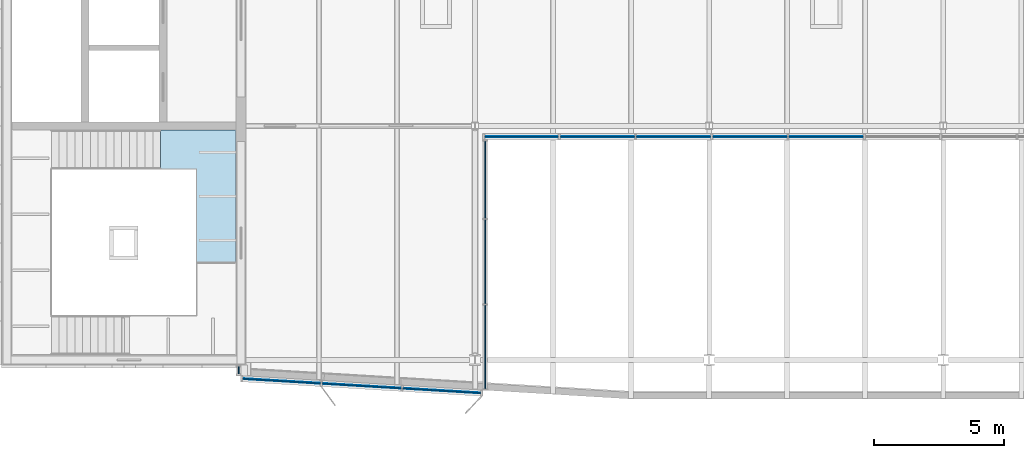
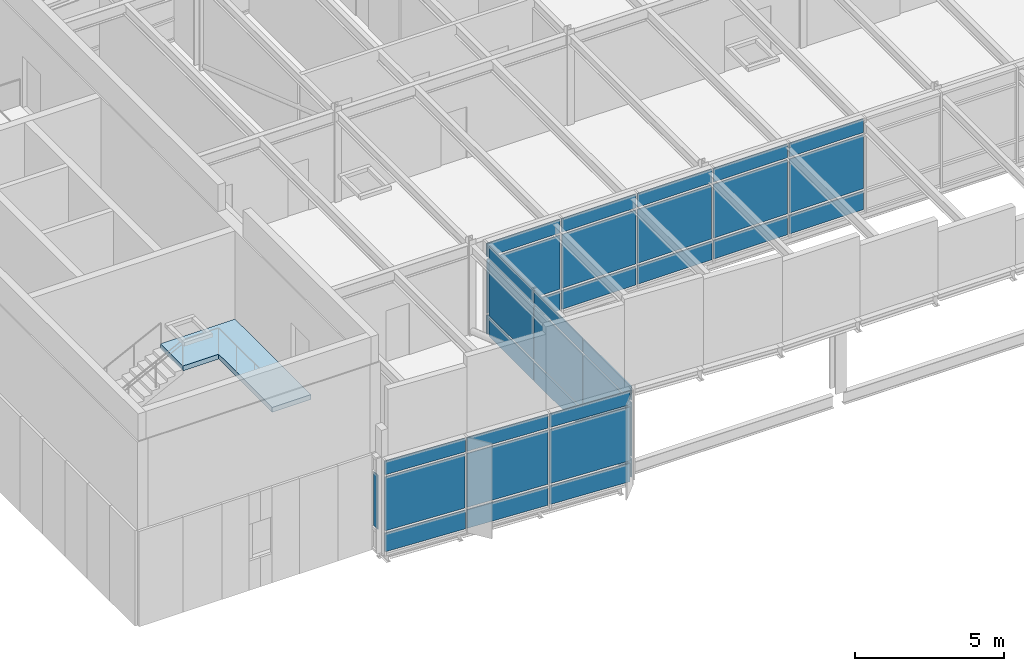
# One storey, part 11 of 23: 34 plates, 1 slab, 5 elements without a shape of their own.
"""IFC4 building model written with IfcOpenShell, lengths in metres."""

from ifc_helpers import new_model, si_unit, direction, frame, origin, origin_2d, place, context, subcontext, project, spatial, polyline, rectangle, outline, extrude, material, layer, layer_set, type_object, element, aggregate, save


model = new_model("IFC4")

# Units and contexts
model_context = context("Model", 3, precision=1e-05, world=origin(), true_north=direction((0.0, 1.0)))
body_context = subcontext(model_context, "Body", "Model", "MODEL_VIEW")
ifc_project = project(units=[si_unit("LENGTHUNIT", "METRE"), si_unit("AREAUNIT", "SQUARE_METRE"), si_unit("VOLUMEUNIT", "CUBIC_METRE"), si_unit("PLANEANGLEUNIT", "RADIAN"), si_unit("MASSUNIT", "GRAM", prefix="KILO")], contexts=[model_context])

# Site, building, storey
site_placement = place(None, origin())
site = spatial("IfcSite", under=ifc_project, at=site_placement, CompositionType="ELEMENT")
building_placement = place(site_placement, origin())
building = spatial("IfcBuilding", under=site, at=building_placement, Name="Azimuth Sports and Learning Centre", CompositionType="ELEMENT")
storey_placement = place(building_placement, frame((0.0, 0.0, 75.300048828125)))
storey = spatial("IfcBuildingStorey", under=building, at=storey_placement, Name="L17", CompositionType="ELEMENT", Elevation=75.300048828125)

# Stair, slab
ifc_material_1 = material(Name="Concrete C32/40", Category="concrete")
stair_type = type_object("IfcStairType", Name="Square-well stair core 3900 storey", PredefinedType="THREE_QUARTER_TURN_STAIR", material=ifc_material_1)
stair_placement = place(storey_placement, origin())
stair = element("IfcStair", 1, at=stair_placement, inside=storey, type_object=stair_type, Name="Stair W1 L17-Roof", PredefinedType="THREE_QUARTER_TURN_STAIR")
ifc_material_2 = material(Name="Concrete C32/40", Category="concrete")
ifc_layer_1 = layer(ifc_material_2, 0.199951171875)
ifc_layer_set_1 = layer_set([ifc_layer_1], Name="Concrete C32/40")
slab_type = type_object("IfcSlabType", Name="Concrete stair landing", PredefinedType="LANDING", material=ifc_layer_set_1)
slab_placement = place(storey_placement, frame((0.0, 0.0, 3.699951171875)))
slab = element("IfcSlab", 2, at=slab_placement, type_object=slab_type, Name="Stair W1 L17 landing 3", PredefinedType="LANDING", context=body_context, shape_type="SweptSolid", body=[
    extrude(outline(polyline([(61.2900390625, 97.340087890625), (61.2900390625, 93.75), (62.7900390625, 93.75), (62.7900390625, 98.840087890625), (59.9091796875, 98.840087890625), (59.9091796875, 97.340087890625), (61.2900390625, 97.340087890625)])), origin(), (0.0, 0.0, 1.0), 0.199951171875),
])
aggregate(stair, [slab])

# Curtain wall, plates
ifc_material_3 = material(Name="Aluminium and glass", Category="aluminium")
curtain_wall_type_1 = type_object("IfcCurtainWallType", Name="Curtain wall tower south 240", PredefinedType="NOTDEFINED", material=ifc_material_3)
curtain_wall_1_placement = place(storey_placement, origin())
curtain_wall_1 = element("IfcCurtainWall", 3, at=curtain_wall_1_placement, inside=storey, type_object=curtain_wall_type_1, Name="Curtain wall CW17-002", PredefinedType="NOTDEFINED")
ifc_material_4 = material(Name="Insulated aluminium panel", Category="aluminium")
ifc_layer_2 = layer(ifc_material_4, 0.050048828125)
ifc_layer_set_2 = layer_set([ifc_layer_2], Name="Insulated aluminium panel")
plate_type_1 = type_object("IfcPlateType", Name="Spandrel panel 50 mm", PredefinedType="CURTAIN_PANEL", material=ifc_layer_set_2)
plate_1_placement = place(storey_placement, frame((64.560302734375, 89.186279296875, 0.099853515625), z_axis=(0.0, 0.0, 1.0), x_axis=(0.998204863401, -0.059891991812, 0.0)))
plate_1 = element("IfcPlate", 4, at=plate_1_placement, type_object=plate_type_1, Name="CW17-002 panel 1.1", PredefinedType="CURTAIN_PANEL", context=body_context, shape_type="SweptSolid", body=[
    extrude(rectangle(XDim=3.00048828125, YDim=0.050048828125, at=origin_2d()), origin(), (0.0, 0.0, 1.0), 0.75),
])
plate_2_placement = place(storey_placement, frame((64.560302734375, 89.186279296875, 3.25), z_axis=(0.0, 0.0, 1.0), x_axis=(0.998204863401, -0.059891991812, 0.0)))
plate_2 = element("IfcPlate", 5, at=plate_2_placement, type_object=plate_type_1, Name="CW17-002 panel 1.3", PredefinedType="CURTAIN_PANEL", context=body_context, shape_type="SweptSolid", body=[
    extrude(rectangle(XDim=3.00048828125, YDim=0.050048828125, at=origin_2d()), origin(), (0.0, 0.0, 1.0), 0.550048828125),
])
plate_3_placement = place(storey_placement, frame((67.642822265625, 89.001220703125, 0.099853515625), z_axis=(0.0, 0.0, 1.0), x_axis=(0.998204863401, -0.059891991812, 0.0)))
plate_3 = element("IfcPlate", 6, at=plate_3_placement, type_object=plate_type_1, Name="CW17-002 panel 2.1", PredefinedType="CURTAIN_PANEL", context=body_context, shape_type="SweptSolid", body=[
    extrude(rectangle(XDim=3.03564453125, YDim=0.050048828125, at=origin_2d()), origin(), (0.0, 0.0, 1.0), 0.75),
])
plate_4_placement = place(storey_placement, frame((67.642822265625, 89.001220703125, 3.25), z_axis=(0.0, 0.0, 1.0), x_axis=(0.998204863401, -0.059891991812, 0.0)))
plate_4 = element("IfcPlate", 7, at=plate_4_placement, type_object=plate_type_1, Name="CW17-002 panel 2.3", PredefinedType="CURTAIN_PANEL", context=body_context, shape_type="SweptSolid", body=[
    extrude(rectangle(XDim=3.03564453125, YDim=0.050048828125, at=origin_2d()), origin(), (0.0, 0.0, 1.0), 0.550048828125),
])
plate_5_placement = place(storey_placement, frame((70.725341796875, 88.816162109375, 0.099853515625), z_axis=(0.0, 0.0, 1.0), x_axis=(0.998204863401, -0.059891991812, 0.0)))
plate_5 = element("IfcPlate", 8, at=plate_5_placement, type_object=plate_type_1, Name="CW17-002 panel 3.1", PredefinedType="CURTAIN_PANEL", context=body_context, shape_type="SweptSolid", body=[
    extrude(rectangle(XDim=3.00048828125, YDim=0.050048828125, at=origin_2d()), origin(), (0.0, 0.0, 1.0), 0.75),
])
plate_6_placement = place(storey_placement, frame((70.725341796875, 88.816162109375, 3.25), z_axis=(0.0, 0.0, 1.0), x_axis=(0.998204863401, -0.059891991812, 0.0)))
plate_6 = element("IfcPlate", 9, at=plate_6_placement, type_object=plate_type_1, Name="CW17-002 panel 3.3", PredefinedType="CURTAIN_PANEL", context=body_context, shape_type="SweptSolid", body=[
    extrude(rectangle(XDim=3.00048828125, YDim=0.050048828125, at=origin_2d()), origin(), (0.0, 0.0, 1.0), 0.550048828125),
])

ifc_material_5 = material(Name="Aluminium and glass", Category="aluminium")
curtain_wall_type_2 = type_object("IfcCurtainWallType", Name="Curtain wall tower return 180", PredefinedType="NOTDEFINED", material=ifc_material_5)
curtain_wall_2_placement = place(storey_placement, origin())
curtain_wall_2 = element("IfcCurtainWall", 10, at=curtain_wall_2_placement, inside=storey, type_object=curtain_wall_type_2, Name="Curtain wall CW17-003", PredefinedType="NOTDEFINED")
plate_7_placement = place(storey_placement, frame((72.389892578125, 90.5, 0.099853515625), z_axis=(0.0, 0.0, 1.0), x_axis=(0.0, 1.0, 0.0)))
plate_7 = element("IfcPlate", 11, at=plate_7_placement, type_object=plate_type_1, Name="CW17-003 panel 1.1", PredefinedType="CURTAIN_PANEL", context=body_context, shape_type="SweptSolid", body=[
    extrude(rectangle(XDim=3.196044921875, YDim=0.050048828125, at=origin_2d()), origin(), (0.0, 0.0, 1.0), 0.75),
])
plate_8_placement = place(storey_placement, frame((72.389892578125, 90.5, 0.9501953125), z_axis=(0.0, 0.0, 1.0), x_axis=(0.0, 1.0, 0.0)))
plate_8 = element("IfcPlate", 12, at=plate_8_placement, type_object=plate_type_1, Name="CW17-003 panel 1.2", PredefinedType="CURTAIN_PANEL", context=body_context, shape_type="SweptSolid", body=[
    extrude(rectangle(XDim=3.196044921875, YDim=0.050048828125, at=origin_2d()), origin(), (0.0, 0.0, 1.0), 2.199951171875),
])
plate_9_placement = place(storey_placement, frame((72.389892578125, 90.5, 3.25), z_axis=(0.0, 0.0, 1.0), x_axis=(0.0, 1.0, 0.0)))
plate_9 = element("IfcPlate", 13, at=plate_9_placement, type_object=plate_type_1, Name="CW17-003 panel 1.3", PredefinedType="CURTAIN_PANEL", context=body_context, shape_type="SweptSolid", body=[
    extrude(rectangle(XDim=3.196044921875, YDim=0.050048828125, at=origin_2d()), origin(), (0.0, 0.0, 1.0), 0.550048828125),
])
plate_10_placement = place(storey_placement, frame((72.389892578125, 93.77099609375, 0.099853515625), z_axis=(0.0, 0.0, 1.0), x_axis=(0.0, 1.0, 0.0)))
plate_10 = element("IfcPlate", 14, at=plate_10_placement, type_object=plate_type_1, Name="CW17-003 panel 2.1", PredefinedType="CURTAIN_PANEL", context=body_context, shape_type="SweptSolid", body=[
    extrude(rectangle(XDim=3.22607421875, YDim=0.050048828125, at=origin_2d()), origin(), (0.0, 0.0, 1.0), 0.75),
])
plate_11_placement = place(storey_placement, frame((72.389892578125, 93.77099609375, 0.9501953125), z_axis=(0.0, 0.0, 1.0), x_axis=(0.0, 1.0, 0.0)))
plate_11 = element("IfcPlate", 15, at=plate_11_placement, type_object=plate_type_1, Name="CW17-003 panel 2.2", PredefinedType="CURTAIN_PANEL", context=body_context, shape_type="SweptSolid", body=[
    extrude(rectangle(XDim=3.22607421875, YDim=0.050048828125, at=origin_2d()), origin(), (0.0, 0.0, 1.0), 2.199951171875),
])
plate_12_placement = place(storey_placement, frame((72.389892578125, 93.77099609375, 3.25), z_axis=(0.0, 0.0, 1.0), x_axis=(0.0, 1.0, 0.0)))
plate_12 = element("IfcPlate", 16, at=plate_12_placement, type_object=plate_type_1, Name="CW17-003 panel 2.3", PredefinedType="CURTAIN_PANEL", context=body_context, shape_type="SweptSolid", body=[
    extrude(rectangle(XDim=3.22607421875, YDim=0.050048828125, at=origin_2d()), origin(), (0.0, 0.0, 1.0), 0.550048828125),
])
plate_13_placement = place(storey_placement, frame((72.389892578125, 96.922119140625, 0.099853515625), z_axis=(0.0, 0.0, 1.0), x_axis=(0.0, 1.0, 0.0)))
plate_13 = element("IfcPlate", 17, at=plate_13_placement, type_object=plate_type_1, Name="CW17-003 panel 3.1", PredefinedType="CURTAIN_PANEL", context=body_context, shape_type="SweptSolid", body=[
    extrude(rectangle(XDim=2.9560546875, YDim=0.050048828125, at=origin_2d()), origin(), (0.0, 0.0, 1.0), 0.75),
])
plate_14_placement = place(storey_placement, frame((72.389892578125, 96.922119140625, 0.9501953125), z_axis=(0.0, 0.0, 1.0), x_axis=(0.0, 1.0, 0.0)))
plate_14 = element("IfcPlate", 18, at=plate_14_placement, type_object=plate_type_1, Name="CW17-003 panel 3.2", PredefinedType="CURTAIN_PANEL", context=body_context, shape_type="SweptSolid", body=[
    extrude(rectangle(XDim=2.9560546875, YDim=0.050048828125, at=origin_2d()), origin(), (0.0, 0.0, 1.0), 2.199951171875),
])
plate_15_placement = place(storey_placement, frame((72.389892578125, 96.922119140625, 3.25), z_axis=(0.0, 0.0, 1.0), x_axis=(0.0, 1.0, 0.0)))
plate_15 = element("IfcPlate", 19, at=plate_15_placement, type_object=plate_type_1, Name="CW17-003 panel 3.3", PredefinedType="CURTAIN_PANEL", context=body_context, shape_type="SweptSolid", body=[
    extrude(rectangle(XDim=2.9560546875, YDim=0.050048828125, at=origin_2d()), origin(), (0.0, 0.0, 1.0), 0.550048828125),
])
aggregate(curtain_wall_2, [plate_7, plate_8, plate_9, plate_10, plate_11, plate_12, plate_13, plate_14, plate_15])

curtain_wall_3_placement = place(storey_placement, origin())
curtain_wall_3 = element("IfcCurtainWall", 20, at=curtain_wall_3_placement, inside=storey, type_object=curtain_wall_type_1, Name="Curtain wall CW17-004", PredefinedType="NOTDEFINED")
plate_16_placement = place(storey_placement, frame((73.7841796875, 98.580078125, 0.099853515625), z_axis=(0.0, 0.0, 1.0), x_axis=(1.0, 0.0, 0.0)))
plate_16 = element("IfcPlate", 21, at=plate_16_placement, type_object=plate_type_1, Name="CW17-004 panel 1.1", PredefinedType="CURTAIN_PANEL", context=body_context, shape_type="SweptSolid", body=[
    extrude(rectangle(XDim=2.828369140625, YDim=0.050048828125, at=origin_2d()), origin(), (0.0, 0.0, 1.0), 0.75),
])
plate_17_placement = place(storey_placement, frame((73.7841796875, 98.580078125, 3.25), z_axis=(0.0, 0.0, 1.0), x_axis=(1.0, 0.0, 0.0)))
plate_17 = element("IfcPlate", 22, at=plate_17_placement, type_object=plate_type_1, Name="CW17-004 panel 1.3", PredefinedType="CURTAIN_PANEL", context=body_context, shape_type="SweptSolid", body=[
    extrude(rectangle(XDim=2.828369140625, YDim=0.050048828125, at=origin_2d()), origin(), (0.0, 0.0, 1.0), 0.550048828125),
])
plate_18_placement = place(storey_placement, frame((76.699951171875, 98.580078125, 0.099853515625), z_axis=(0.0, 0.0, 1.0), x_axis=(1.0, 0.0, 0.0)))
plate_18 = element("IfcPlate", 23, at=plate_18_placement, type_object=plate_type_1, Name="CW17-004 panel 2.1", PredefinedType="CURTAIN_PANEL", context=body_context, shape_type="SweptSolid", body=[
    extrude(rectangle(XDim=2.86328125, YDim=0.050048828125, at=origin_2d()), origin(), (0.0, 0.0, 1.0), 0.75),
])
plate_19_placement = place(storey_placement, frame((76.699951171875, 98.580078125, 3.25), z_axis=(0.0, 0.0, 1.0), x_axis=(1.0, 0.0, 0.0)))
plate_19 = element("IfcPlate", 24, at=plate_19_placement, type_object=plate_type_1, Name="CW17-004 panel 2.3", PredefinedType="CURTAIN_PANEL", context=body_context, shape_type="SweptSolid", body=[
    extrude(rectangle(XDim=2.86328125, YDim=0.050048828125, at=origin_2d()), origin(), (0.0, 0.0, 1.0), 0.550048828125),
])
plate_20_placement = place(storey_placement, frame((79.63330078125, 98.580078125, 0.099853515625), z_axis=(0.0, 0.0, 1.0), x_axis=(1.0, 0.0, 0.0)))
plate_20 = element("IfcPlate", 25, at=plate_20_placement, type_object=plate_type_1, Name="CW17-004 panel 3.1", PredefinedType="CURTAIN_PANEL", context=body_context, shape_type="SweptSolid", body=[
    extrude(rectangle(XDim=2.86328125, YDim=0.050048828125, at=origin_2d()), origin(), (0.0, 0.0, 1.0), 0.75),
])
plate_21_placement = place(storey_placement, frame((79.63330078125, 98.580078125, 3.25), z_axis=(0.0, 0.0, 1.0), x_axis=(1.0, 0.0, 0.0)))
plate_21 = element("IfcPlate", 26, at=plate_21_placement, type_object=plate_type_1, Name="CW17-004 panel 3.3", PredefinedType="CURTAIN_PANEL", context=body_context, shape_type="SweptSolid", body=[
    extrude(rectangle(XDim=2.86328125, YDim=0.050048828125, at=origin_2d()), origin(), (0.0, 0.0, 1.0), 0.550048828125),
])
plate_22_placement = place(storey_placement, frame((82.566650390625, 98.580078125, 0.099853515625), z_axis=(0.0, 0.0, 1.0), x_axis=(1.0, 0.0, 0.0)))
plate_22 = element("IfcPlate", 27, at=plate_22_placement, type_object=plate_type_1, Name="CW17-004 panel 4.1", PredefinedType="CURTAIN_PANEL", context=body_context, shape_type="SweptSolid", body=[
    extrude(rectangle(XDim=2.86328125, YDim=0.050048828125, at=origin_2d()), origin(), (0.0, 0.0, 1.0), 0.75),
])
plate_23_placement = place(storey_placement, frame((82.566650390625, 98.580078125, 3.25), z_axis=(0.0, 0.0, 1.0), x_axis=(1.0, 0.0, 0.0)))
plate_23 = element("IfcPlate", 28, at=plate_23_placement, type_object=plate_type_1, Name="CW17-004 panel 4.3", PredefinedType="CURTAIN_PANEL", context=body_context, shape_type="SweptSolid", body=[
    extrude(rectangle(XDim=2.86328125, YDim=0.050048828125, at=origin_2d()), origin(), (0.0, 0.0, 1.0), 0.550048828125),
])
plate_24_placement = place(storey_placement, frame((85.5, 98.580078125, 0.099853515625), z_axis=(0.0, 0.0, 1.0), x_axis=(1.0, 0.0, 0.0)))
plate_24 = element("IfcPlate", 29, at=plate_24_placement, type_object=plate_type_1, Name="CW17-004 panel 5.1", PredefinedType="CURTAIN_PANEL", context=body_context, shape_type="SweptSolid", body=[
    extrude(rectangle(XDim=2.86328125, YDim=0.050048828125, at=origin_2d()), origin(), (0.0, 0.0, 1.0), 0.75),
])
plate_25_placement = place(storey_placement, frame((85.5, 98.580078125, 3.25), z_axis=(0.0, 0.0, 1.0), x_axis=(1.0, 0.0, 0.0)))
plate_25 = element("IfcPlate", 30, at=plate_25_placement, type_object=plate_type_1, Name="CW17-004 panel 5.3", PredefinedType="CURTAIN_PANEL", context=body_context, shape_type="SweptSolid", body=[
    extrude(rectangle(XDim=2.86328125, YDim=0.050048828125, at=origin_2d()), origin(), (0.0, 0.0, 1.0), 0.550048828125),
])

# Curtain wall, plate
curtain_wall_4_placement = place(storey_placement, origin())
curtain_wall_4 = element("IfcCurtainWall", 31, at=curtain_wall_4_placement, inside=storey, type_object=curtain_wall_type_2, Name="Curtain wall CW17-001", PredefinedType="NOTDEFINED")
ifc_material_6 = material(Name="Glass", Category="glass")
ifc_layer_3 = layer(ifc_material_6, 0.031982421875)
ifc_layer_set_3 = layer_set([ifc_layer_3], Name="Glass")
plate_type_2 = type_object("IfcPlateType", Name="Vision glass 32 mm", PredefinedType="CURTAIN_PANEL", material=ifc_layer_set_3)
plate_26_placement = place(storey_placement, frame((62.909912109375, 89.60009765625, 0.9501953125), z_axis=(0.0, 0.0, 1.0), x_axis=(0.0, -1.0, 0.0)))
plate_26 = element("IfcPlate", 32, at=plate_26_placement, type_object=plate_type_2, Name="CW17-001 panel 1.2", PredefinedType="CURTAIN_PANEL", context=body_context, shape_type="SweptSolid", body=[
    extrude(rectangle(XDim=0.280029296875, YDim=0.031982421875, at=origin_2d()), origin(), (0.0, 0.0, 1.0), 2.199951171875),
])
aggregate(curtain_wall_4, [plate_26])

# Plate
plate_27_placement = place(storey_placement, frame((64.560302734375, 89.186279296875, 0.9501953125), z_axis=(0.0, 0.0, 1.0), x_axis=(0.998204863401, -0.059891991812, 0.0)))
plate_27 = element("IfcPlate", 33, at=plate_27_placement, type_object=plate_type_2, Name="CW17-002 panel 1.2", PredefinedType="CURTAIN_PANEL", context=body_context, shape_type="SweptSolid", body=[
    extrude(rectangle(XDim=3.00048828125, YDim=0.031982421875, at=origin_2d()), origin(), (0.0, 0.0, 1.0), 2.199951171875),
])

plate_28_placement = place(storey_placement, frame((67.642822265625, 89.001220703125, 0.9501953125), z_axis=(0.0, 0.0, 1.0), x_axis=(0.998204863401, -0.059891991812, 0.0)))
plate_28 = element("IfcPlate", 34, at=plate_28_placement, type_object=plate_type_2, Name="CW17-002 panel 2.2", PredefinedType="CURTAIN_PANEL", context=body_context, shape_type="SweptSolid", body=[
    extrude(rectangle(XDim=3.03564453125, YDim=0.031982421875, at=origin_2d()), origin(), (0.0, 0.0, 1.0), 2.199951171875),
])

plate_29_placement = place(storey_placement, frame((70.725341796875, 88.816162109375, 0.9501953125), z_axis=(0.0, 0.0, 1.0), x_axis=(0.998204863401, -0.059891991812, 0.0)))
plate_29 = element("IfcPlate", 35, at=plate_29_placement, type_object=plate_type_2, Name="CW17-002 panel 3.2", PredefinedType="CURTAIN_PANEL", context=body_context, shape_type="SweptSolid", body=[
    extrude(rectangle(XDim=3.00048828125, YDim=0.031982421875, at=origin_2d()), origin(), (0.0, 0.0, 1.0), 2.199951171875),
])

aggregate(curtain_wall_1, [plate_1, plate_27, plate_2, plate_3, plate_28, plate_4, plate_5, plate_29, plate_6])

plate_30_placement = place(storey_placement, frame((73.7841796875, 98.580078125, 0.9501953125), z_axis=(0.0, 0.0, 1.0), x_axis=(1.0, 0.0, 0.0)))
plate_30 = element("IfcPlate", 36, at=plate_30_placement, type_object=plate_type_2, Name="CW17-004 panel 1.2", PredefinedType="CURTAIN_PANEL", context=body_context, shape_type="SweptSolid", body=[
    extrude(rectangle(XDim=2.828369140625, YDim=0.031982421875, at=origin_2d()), origin(), (0.0, 0.0, 1.0), 2.199951171875),
])

plate_31_placement = place(storey_placement, frame((76.699951171875, 98.580078125, 0.9501953125), z_axis=(0.0, 0.0, 1.0), x_axis=(1.0, 0.0, 0.0)))
plate_31 = element("IfcPlate", 37, at=plate_31_placement, type_object=plate_type_2, Name="CW17-004 panel 2.2", PredefinedType="CURTAIN_PANEL", context=body_context, shape_type="SweptSolid", body=[
    extrude(rectangle(XDim=2.86328125, YDim=0.031982421875, at=origin_2d()), origin(), (0.0, 0.0, 1.0), 2.199951171875),
])

plate_32_placement = place(storey_placement, frame((79.63330078125, 98.580078125, 0.9501953125), z_axis=(0.0, 0.0, 1.0), x_axis=(1.0, 0.0, 0.0)))
plate_32 = element("IfcPlate", 38, at=plate_32_placement, type_object=plate_type_2, Name="CW17-004 panel 3.2", PredefinedType="CURTAIN_PANEL", context=body_context, shape_type="SweptSolid", body=[
    extrude(rectangle(XDim=2.86328125, YDim=0.031982421875, at=origin_2d()), origin(), (0.0, 0.0, 1.0), 2.199951171875),
])

plate_33_placement = place(storey_placement, frame((82.566650390625, 98.580078125, 0.9501953125), z_axis=(0.0, 0.0, 1.0), x_axis=(1.0, 0.0, 0.0)))
plate_33 = element("IfcPlate", 39, at=plate_33_placement, type_object=plate_type_2, Name="CW17-004 panel 4.2", PredefinedType="CURTAIN_PANEL", context=body_context, shape_type="SweptSolid", body=[
    extrude(rectangle(XDim=2.86328125, YDim=0.031982421875, at=origin_2d()), origin(), (0.0, 0.0, 1.0), 2.199951171875),
])

plate_34_placement = place(storey_placement, frame((85.5, 98.580078125, 0.9501953125), z_axis=(0.0, 0.0, 1.0), x_axis=(1.0, 0.0, 0.0)))
plate_34 = element("IfcPlate", 40, at=plate_34_placement, type_object=plate_type_2, Name="CW17-004 panel 5.2", PredefinedType="CURTAIN_PANEL", context=body_context, shape_type="SweptSolid", body=[
    extrude(rectangle(XDim=2.86328125, YDim=0.031982421875, at=origin_2d()), origin(), (0.0, 0.0, 1.0), 2.199951171875),
])

aggregate(curtain_wall_3, [plate_16, plate_30, plate_17, plate_18, plate_31, plate_19, plate_20, plate_32, plate_21, plate_22, plate_33, plate_23, plate_24, plate_34, plate_25])

save(model, "model.ifc")
